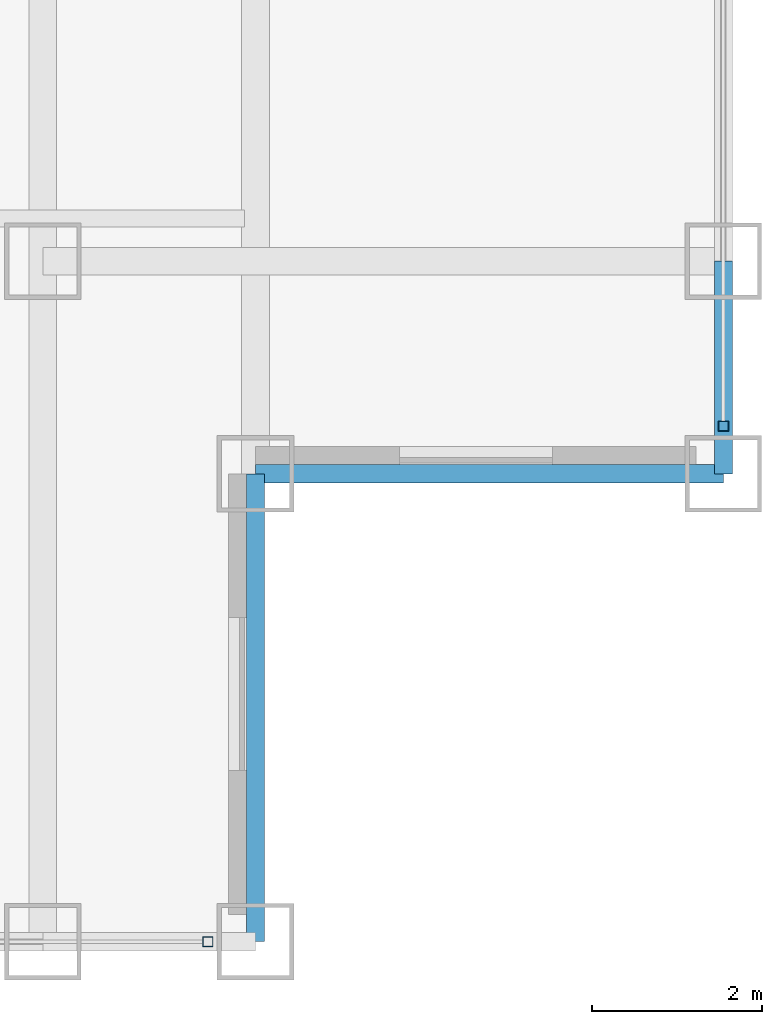
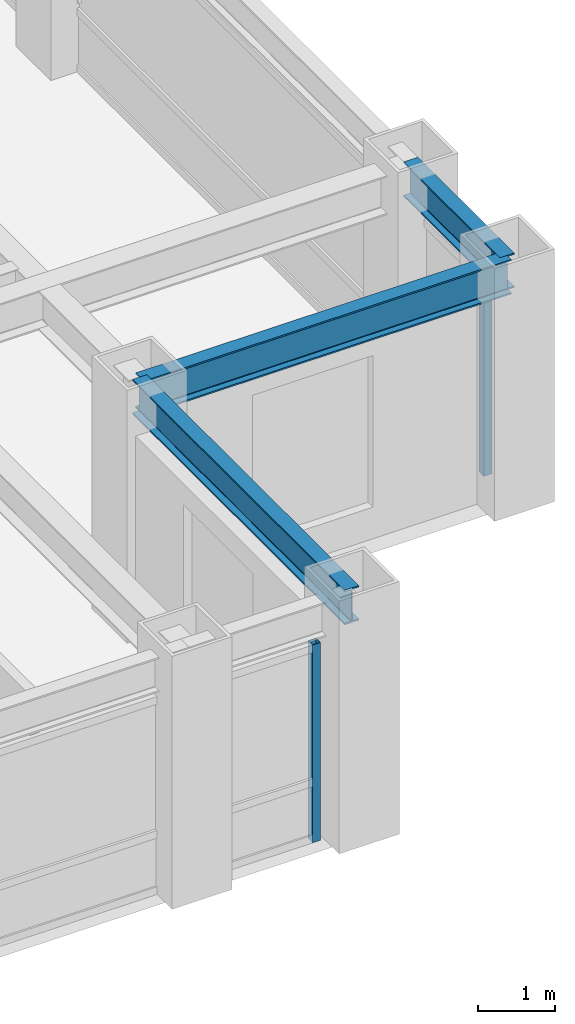
# One storey, part 8 of 22: 3 beams, 2 members, 2 elements without a shape of their own.
"""IFC4 building model written with IfcOpenShell, lengths in metres."""

from ifc_helpers import new_model, si_unit, direction, frame, origin, origin_2d, place, context, subcontext, project, spatial, hollow_rectangle, i_section, extrude, source, transform, mapped, material, material_profile, profile_set, type_object, element, aggregate, save


model = new_model("IFC4")

# Units and contexts
model_context = context("Model", 3, precision=1e-05, world=origin(), true_north=direction((0.0, 1.0)))
body_context = subcontext(model_context, "Body", "Model", "MODEL_VIEW")
ifc_project = project(units=[si_unit("LENGTHUNIT", "METRE"), si_unit("AREAUNIT", "SQUARE_METRE"), si_unit("VOLUMEUNIT", "CUBIC_METRE"), si_unit("PLANEANGLEUNIT", "RADIAN"), si_unit("MASSUNIT", "GRAM", prefix="KILO")], contexts=[model_context])

# Site, building, storey
site_placement = place(None, origin())
site = spatial("IfcSite", under=ifc_project, at=site_placement, CompositionType="ELEMENT")
building_placement = place(site_placement, origin())
building = spatial("IfcBuilding", under=site, at=building_placement, Name="Khorayat Bourse Tower", CompositionType="ELEMENT")
storey_placement = place(building_placement, frame((0.0, 0.0, 301.5)))
storey = spatial("IfcBuildingStorey", under=building, at=storey_placement, Name="L71", CompositionType="ELEMENT", Elevation=301.5)

# Beams
ifc_material_1 = material(Name="Steel ASTM A992 Grade 50", Category="steel")
ifc_material_profile_1 = material_profile(ifc_material_1, i_section(OverallWidth=0.214111328125, OverallDepth=0.549072265625, WebThickness=0.0146484375, FlangeThickness=0.023681640625, FilletRadius=0.013916015625, at=origin_2d()), Name="W530X138")
ifc_profile_set_1 = profile_set([ifc_material_profile_1], Name="Steel ASTM A992 Grade 50")
beam_type = type_object("IfcBeamType", Name="BM-SPAN-530", PredefinedType="SPANDREL", material=ifc_profile_set_1)
shared_shape_1 = source(origin(), body_context, "Body", "SweptSolid", [
    extrude(i_section(OverallWidth=0.214111328125, OverallDepth=0.549072265625, WebThickness=0.0146484375, FlangeThickness=0.023681640625, FilletRadius=0.013916015625, at=origin_2d()), origin(), (0.0, 0.0, 1.0), 2.5),
])
beam_placement = place(storey_placement, frame((28.0, -22.5, 3.505615234375), z_axis=(0.0, 1.0, 0.0), x_axis=(-1.0, 0.0, 0.0)))
element("IfcBeam", 1, at=beam_placement, inside=storey, type_object=beam_type, Name="L71 BM-SPAN-530 BM-L71-SPN-034", PredefinedType="SPANDREL", context=body_context, shape_type="MappedRepresentation", body=[
    mapped(shared_shape_1, transform((0.0, 0.0, 0.0), scale=1.0)),
])
shared_shape_2 = source(origin(), body_context, "Body", "SweptSolid", [
    extrude(i_section(OverallWidth=0.214111328125, OverallDepth=0.549072265625, WebThickness=0.0146484375, FlangeThickness=0.023681640625, FilletRadius=0.013916015625, at=origin_2d()), origin(), (0.0, 0.0, 1.0), 5.5),
])
for number, where, z_axis, x_axis, name in (
    (2, (22.5, -28.0, 3.505615234375), (0.0, 1.0, 0.0), (-1.0, 0.0, 0.0), "L71 BM-SPAN-530 BM-L71-SPN-032"),
    (3, (22.5, -22.5, 3.505615234375), (1.0, 0.0, 0.0), (0.0, 1.0, 0.0), "L71 BM-SPAN-530 BM-L71-SPN-033"),
):
    element("IfcBeam", number, at=place(storey_placement, frame(where, z_axis=z_axis, x_axis=x_axis)), inside=storey, type_object=beam_type, Name=name, PredefinedType="SPANDREL", context=body_context, shape_type="MappedRepresentation", body=[
        mapped(shared_shape_2, transform((0.0, 0.0, 0.0), scale=1.0)),
    ])

# Curtain wall, member
ifc_material_2 = material(Name="Aluminium EN AW-6063 T6", Category="aluminium")
curtain_wall_type = type_object("IfcCurtainWallType", Name="CW-SYS-04", PredefinedType="NOTDEFINED", material=ifc_material_2)
curtain_wall_1_placement = place(storey_placement, origin())
curtain_wall_1 = element("IfcCurtainWall", 4, at=curtain_wall_1_placement, inside=storey, type_object=curtain_wall_type, Name="L71 Curtain Wall CW-L71-S1", PredefinedType="NOTDEFINED")
ifc_material_profile_2 = material_profile(ifc_material_2, hollow_rectangle(XDim=0.1201171875, YDim=0.1201171875, WallThickness=0.0048828125, at=origin_2d()), Name="ALU 120x120x5")
ifc_profile_set_2 = profile_set([ifc_material_profile_2], Name="Aluminium EN AW-6063 T6")
member_type = type_object("IfcMemberType", Name="CWM-VERT-120", PredefinedType="MULLION", material=ifc_profile_set_2)
shared_shape_3 = source(origin(), body_context, "Body", "SweptSolid", [
    extrude(hollow_rectangle(XDim=0.1201171875, YDim=0.1201171875, WallThickness=0.0048828125, at=origin_2d()), origin(), (0.0, 0.0, 1.0), 3.1298828125),
])
member_1_placement = place(storey_placement, frame((21.93994140625, -28.0, 0.0), z_axis=(0.0, 0.0, 1.0), x_axis=(0.0, 1.0, 0.0)))
member_1 = element("IfcMember", 5, at=member_1_placement, type_object=member_type, Name="CW-L71-S1 Vertical Mullion 3", PredefinedType="MULLION", context=body_context, shape_type="MappedRepresentation", body=[
    mapped(shared_shape_3, transform((0.0, 0.0, 0.0), scale=1.0)),
])
aggregate(curtain_wall_1, [member_1])

curtain_wall_2_placement = place(storey_placement, origin())
curtain_wall_2 = element("IfcCurtainWall", 6, at=curtain_wall_2_placement, inside=storey, type_object=curtain_wall_type, Name="L71 Curtain Wall CW-L71-E1", PredefinedType="NOTDEFINED")
member_2_placement = place(storey_placement, frame((28.0, -21.93994140625, 0.0), z_axis=(0.0, 0.0, 1.0), x_axis=(-1.0, 0.0, 0.0)))
member_2 = element("IfcMember", 7, at=member_2_placement, type_object=member_type, Name="CW-L71-E1 Vertical Mullion 1", PredefinedType="MULLION", context=body_context, shape_type="MappedRepresentation", body=[
    mapped(shared_shape_3, transform((0.0, 0.0, 0.0), scale=1.0)),
])
aggregate(curtain_wall_2, [member_2])

save(model, "model.ifc")
